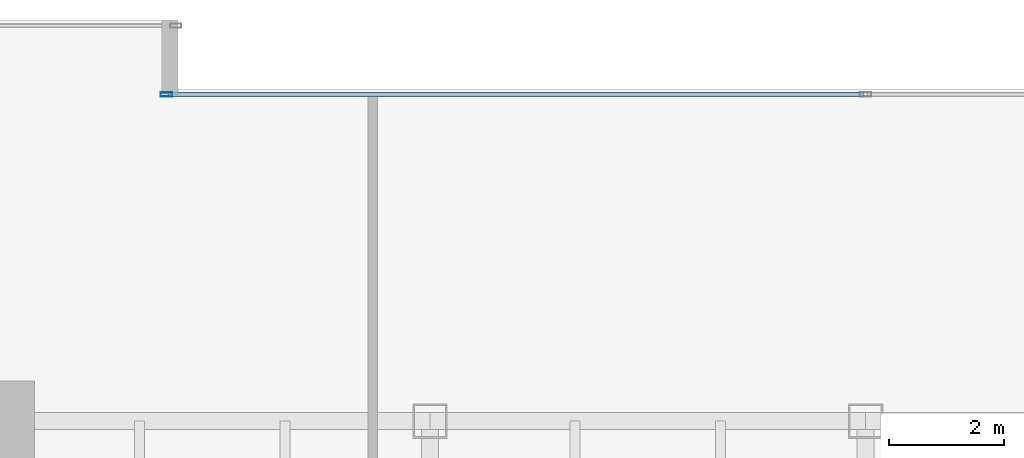
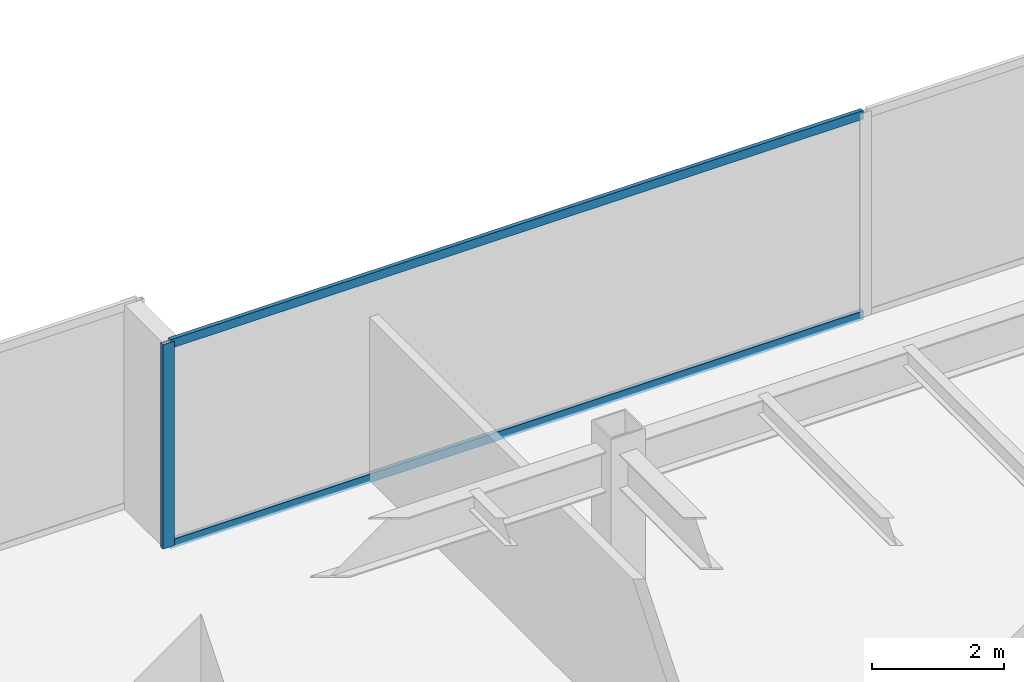
# One storey, part 14 of 35: 3 members, 1 element without a shape of its own.
"""IFC4 building model written with IfcOpenShell, lengths in metres."""

from ifc_helpers import new_model, si_unit, direction, frame, origin, origin_2d, place, context, subcontext, project, spatial, hollow_rectangle, extrude, source, transform, mapped, material, layer, layer_set, material_profile, profile_set, type_object, type_shapes, element, aggregate, save


model = new_model("IFC4")

# Units and contexts
model_context = context("Model", 3, precision=1e-05, world=origin(), true_north=direction((0.0, 1.0)))
body_context = subcontext(model_context, "Body", "Model", "MODEL_VIEW")
ifc_project = project(units=[si_unit("LENGTHUNIT", "METRE"), si_unit("AREAUNIT", "SQUARE_METRE"), si_unit("VOLUMEUNIT", "CUBIC_METRE"), si_unit("PLANEANGLEUNIT", "RADIAN"), si_unit("MASSUNIT", "GRAM", prefix="KILO")], contexts=[model_context])

# Site, building, storey
site_placement = place(None, origin())
site = spatial("IfcSite", under=ifc_project, at=site_placement, CompositionType="ELEMENT")
building_placement = place(site_placement, origin())
building = spatial("IfcBuilding", under=site, at=building_placement, Name="Haelvirn Gate Laboratories", CompositionType="ELEMENT")
storey_placement = place(building_placement, frame((0.0, 0.0, 66.199951171875)))
storey = spatial("IfcBuildingStorey", under=building, at=storey_placement, Name="L16", CompositionType="ELEMENT", Elevation=66.199951171875)

# Curtain wall, members
ifc_material_1 = material(Name="Anodised bronze unitised aluminium & triple low-E glass", Category="aluminium")
ifc_layer = layer(ifc_material_1, 0.18408203125, Name="CW-SYS-2")
ifc_layer_set = layer_set([ifc_layer], Name="Anodised bronze unitised aluminium & triple low-E glass")
curtain_wall_type = type_object("IfcCurtainWallType", Name="CW-SYS-2", PredefinedType="NOTDEFINED", material=ifc_layer_set)
curtain_wall_placement = place(storey_placement, origin())
curtain_wall = element("IfcCurtainWall", 1, at=curtain_wall_placement, inside=storey, type_object=curtain_wall_type, Name="L16 Unitised Curtain Wall CW-L16-P0-E12-1", PredefinedType="NOTDEFINED")
ifc_material_2 = material(Name="Extruded aluminium 6063-T6 (anodised bronze)", Category="aluminium")
ifc_material_profile_1 = material_profile(ifc_material_2, hollow_rectangle(XDim=0.074951171875, YDim=0.199951171875, WallThickness=0.0048828125, at=origin_2d()), Name="CWM-200x75x5")
ifc_profile_set_1 = profile_set([ifc_material_profile_1], Name="Extruded aluminium 6063-T6 (anodised bronze)")
member_type_1 = type_object("IfcMemberType", Name="CWM-T200", PredefinedType="MULLION", material=ifc_profile_set_1)
shared_shape_1 = source(origin(), body_context, "Body", "SweptSolid", [
    extrude(hollow_rectangle(XDim=0.074951171875, YDim=0.199951171875, WallThickness=0.0048828125, at=origin_2d()), origin(), (0.0, 0.0, 1.0), 3.780029296875),
])
type_shapes(member_type_1, [shared_shape_1])
member_1_placement = place(storey_placement, frame((25.197509765625, 47.300048828125, 0.0), z_axis=(0.0, 0.0, 1.0), x_axis=(0.0, 1.0, 0.0)))
member_1 = element("IfcMember", 2, at=member_1_placement, type_object=member_type_1, Name="CW2 mullion 1", PredefinedType="MULLION", context=body_context, shape_type="MappedRepresentation", body=[
    mapped(shared_shape_1, transform((0.0, 0.0, 0.0), scale=1.0)),
])
ifc_material_profile_2 = material_profile(ifc_material_2, hollow_rectangle(XDim=0.070068359375, YDim=0.159912109375, WallThickness=0.0048828125, at=origin_2d()), Name="CWT-160x70x5")
ifc_profile_set_2 = profile_set([ifc_material_profile_2], Name="Extruded aluminium 6063-T6 (anodised bronze)")
member_type_2 = type_object("IfcMemberType", Name="CWT-T160", PredefinedType="USERDEFINED", material=ifc_profile_set_2)
shared_shape_2 = source(origin(), body_context, "Body", "SweptSolid", [
    extrude(hollow_rectangle(XDim=0.070068359375, YDim=0.159912109375, WallThickness=0.0048828125, at=origin_2d()), origin(), (0.0, 0.0, 1.0), 12.12744140625),
])
type_shapes(member_type_2, [shared_shape_2])
member_2_placement = place(storey_placement, frame((25.235107421875, 47.300048828125, 0.03515625), z_axis=(1.0, 0.0, 0.0), x_axis=(0.0, 1.0, 0.0)))
member_2 = element("IfcMember", 3, at=member_2_placement, type_object=member_type_2, Name="CW2 transom 1.1", ObjectType="TRANSOM", PredefinedType="USERDEFINED", context=body_context, shape_type="MappedRepresentation", body=[
    mapped(shared_shape_2, transform((0.0, 0.0, 0.0), scale=1.0)),
])
member_3_placement = place(storey_placement, frame((25.235107421875, 47.300048828125, 3.7451171875), z_axis=(1.0, 0.0, 0.0), x_axis=(0.0, 1.0, 0.0)))
member_3 = element("IfcMember", 4, at=member_3_placement, type_object=member_type_2, Name="CW2 transom 1.2", ObjectType="TRANSOM", PredefinedType="USERDEFINED", context=body_context, shape_type="MappedRepresentation", body=[
    mapped(shared_shape_2, transform((0.0, 0.0, 0.0), scale=1.0)),
])
aggregate(curtain_wall, [member_1, member_2, member_3])

save(model, "model.ifc")
